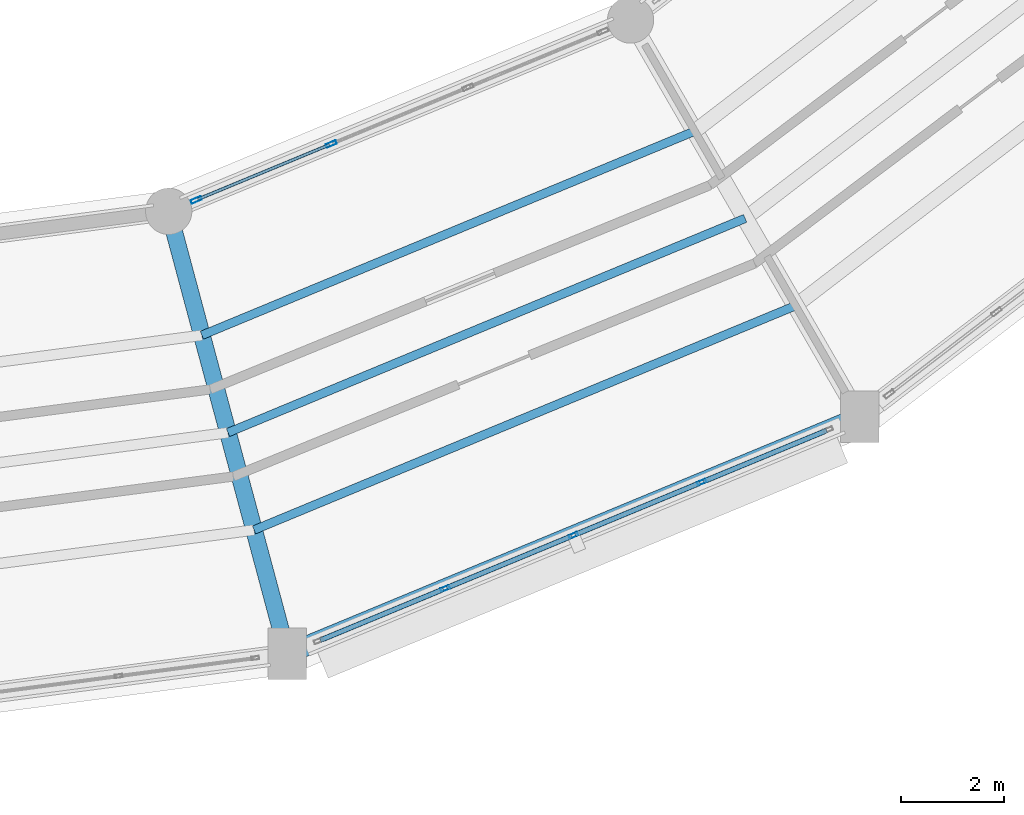
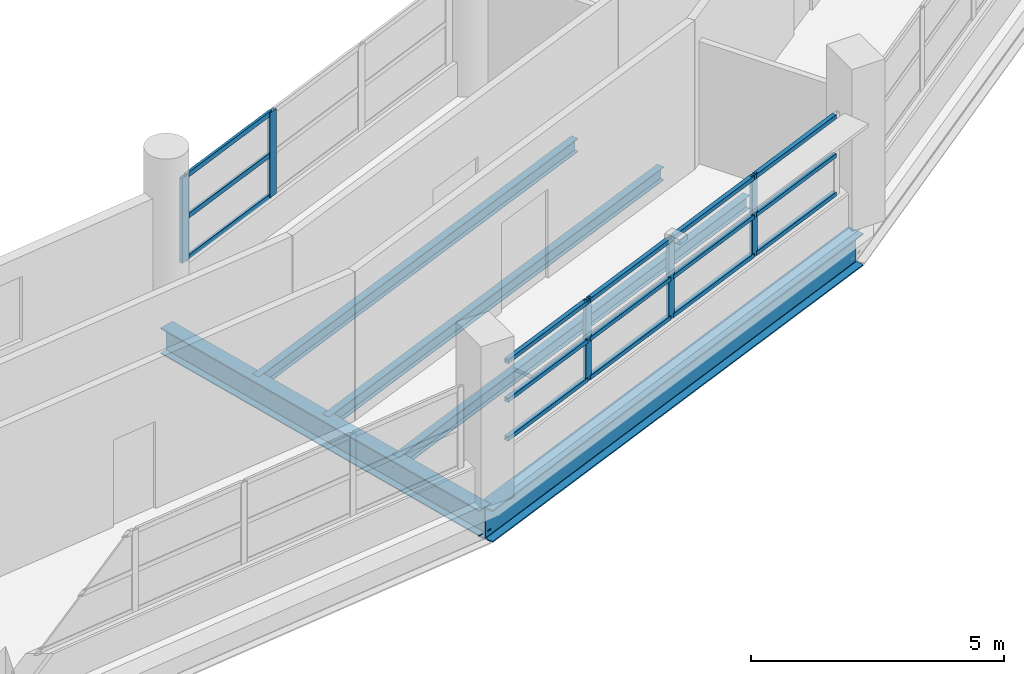
# One storey, part 41 of 108: 20 members, 5 beams, 2 elements without a shape of their own.
"""IFC4 building model written with IfcOpenShell, lengths in metres."""

from ifc_helpers import new_model, si_unit, direction, frame, origin, origin_2d, place, context, subcontext, project, spatial, hollow_rectangle, i_section, extrude, material, layer, layer_set, material_profile, profile_set, type_object, element, aggregate, save


model = new_model("IFC4")

# Units and contexts
model_context = context("Model", 3, precision=1e-05, world=origin(), true_north=direction((0.0, 1.0)))
body_context = subcontext(model_context, "Body", "Model", "MODEL_VIEW")
ifc_project = project(units=[si_unit("LENGTHUNIT", "METRE"), si_unit("AREAUNIT", "SQUARE_METRE"), si_unit("VOLUMEUNIT", "CUBIC_METRE"), si_unit("PLANEANGLEUNIT", "RADIAN"), si_unit("MASSUNIT", "GRAM", prefix="KILO")], contexts=[model_context])

# Site, building, storey
site_placement = place(None, origin())
site = spatial("IfcSite", under=ifc_project, at=site_placement, CompositionType="ELEMENT")
building_placement = place(site_placement, origin())
building = spatial("IfcBuilding", under=site, at=building_placement, Name="Vespera Passage Community Centre", CompositionType="ELEMENT")
storey_placement = place(building_placement, frame((0.0, 0.0, 12.60009765625)))
storey = spatial("IfcBuildingStorey", under=building, at=storey_placement, Name="L03", CompositionType="ELEMENT", Elevation=12.60009765625)

# Beams
ifc_material_1 = material(Name="Steel ASTM A992 Grade 50", Category="steel")
ifc_material_profile_1 = material_profile(ifc_material_1, i_section(OverallWidth=0.32763671875, OverallDepth=0.62841796875, WebThickness=0.0166015625, FlangeThickness=0.027587890625, FilletRadius=0.0126953125, at=origin_2d()), Name="W24X146")
ifc_profile_set_1 = profile_set([ifc_material_profile_1], Name="Steel ASTM A992 Grade 50")
beam_type_1 = type_object("IfcBeamType", Name="BM-G-W24X146", PredefinedType="BEAM", material=ifc_profile_set_1)
beam_1_placement = place(storey_placement, frame((87.628173828125, 29.567626953125, -0.71435546875), z_axis=(0.258811497245, -0.9659278487, 0.0), x_axis=(0.9659278487, 0.258811497245, 0.0)))
element("IfcBeam", 1, at=beam_1_placement, inside=storey, type_object=beam_type_1, Name="V4 L03 Radial Girder 19", PredefinedType="BEAM", context=body_context, shape_type="SweptSolid", body=[
    extrude(i_section(OverallWidth=0.32763671875, OverallDepth=0.62841796875, WebThickness=0.0166015625, FlangeThickness=0.027587890625, FilletRadius=0.0126953125, at=origin_2d()), origin(), (0.0, 0.0, 1.0), 8.900146484375),
])
ifc_material_2 = material(Name="Steel ASTM A992 Grade 50", Category="steel")
ifc_material_profile_2 = material_profile(ifc_material_2, i_section(OverallWidth=0.16650390625, OverallDepth=0.3173828125, WebThickness=0.007568359375, FlangeThickness=0.01318359375, FilletRadius=0.007568359375, at=origin_2d()), Name="W12X35")
ifc_profile_set_2 = profile_set([ifc_material_profile_2], Name="Steel ASTM A992 Grade 50")
beam_type_2 = type_object("IfcBeamType", Name="BM-J-W12X35", PredefinedType="JOIST", material=ifc_profile_set_2)
beam_2_placement = place(storey_placement, frame((88.273193359375, 27.160400390625, -0.558837890625), z_axis=(0.923873815861, 0.382697233288, 0.0), x_axis=(-0.382697233288, 0.923873815861, 0.0)))
element("IfcBeam", 2, at=beam_2_placement, inside=storey, type_object=beam_type_2, Name="V4 L03 Floor Joist 19.1", PredefinedType="JOIST", context=body_context, shape_type="SweptSolid", body=[
    extrude(i_section(OverallWidth=0.16650390625, OverallDepth=0.3173828125, WebThickness=0.007568359375, FlangeThickness=0.01318359375, FilletRadius=0.007568359375, at=origin_2d()), origin(), (0.0, 0.0, 1.0), 10.361572265625),
])
beam_3_placement = place(storey_placement, frame((88.77978515625, 25.269287109375, -0.558837890625), z_axis=(0.923878079901, 0.382686939258, 0.0), x_axis=(-0.382686939258, 0.923878079901, 0.0)))
element("IfcBeam", 3, at=beam_3_placement, inside=storey, type_object=beam_type_2, Name="V4 L03 Floor Joist 19.2", PredefinedType="JOIST", context=body_context, shape_type="SweptSolid", body=[
    extrude(i_section(OverallWidth=0.16650390625, OverallDepth=0.3173828125, WebThickness=0.007568359375, FlangeThickness=0.01318359375, FilletRadius=0.007568359375, at=origin_2d()), origin(), (0.0, 0.0, 1.0), 10.872802734375),
])
beam_4_placement = place(storey_placement, frame((89.28662109375, 23.3779296875, -0.558837890625), z_axis=(0.923878820173, 0.382685152097, 0.0), x_axis=(-0.382685152097, 0.923878820173, 0.0)))
element("IfcBeam", 4, at=beam_4_placement, inside=storey, type_object=beam_type_2, Name="V4 L03 Floor Joist 19.3", PredefinedType="JOIST", context=body_context, shape_type="SweptSolid", body=[
    extrude(i_section(OverallWidth=0.16650390625, OverallDepth=0.3173828125, WebThickness=0.007568359375, FlangeThickness=0.01318359375, FilletRadius=0.007568359375, at=origin_2d()), origin(), (0.0, 0.0, 1.0), 11.3837890625),
])
ifc_material_3 = material(Name="Steel ASTM A992 Grade 50", Category="steel")
ifc_material_profile_3 = material_profile(ifc_material_3, i_section(OverallWidth=0.382080078125, OverallDepth=0.779296875, WebThickness=0.01806640625, FlangeThickness=0.030029296875, FilletRadius=0.0166015625, at=origin_2d()), Name="W30X191")
ifc_profile_set_3 = profile_set([ifc_material_profile_3], Name="Steel ASTM A992 Grade 50")
beam_type_3 = type_object("IfcBeamType", Name="BM-SP-W30X191E", PredefinedType="SPANDREL", material=ifc_profile_set_3)
beam_5_placement = place(storey_placement, frame((89.931640625, 20.970703125, -0.789794921875), z_axis=(0.923877379647, 0.382688629799, 0.0), x_axis=(-0.382688629799, 0.923877379647, 0.0)))
element("IfcBeam", 5, at=beam_5_placement, inside=storey, type_object=beam_type_3, Name="V4 L03 Outer Spandrel 19", PredefinedType="SPANDREL", context=body_context, shape_type="SweptSolid", body=[
    extrude(i_section(OverallWidth=0.382080078125, OverallDepth=0.779296875, WebThickness=0.01806640625, FlangeThickness=0.030029296875, FilletRadius=0.0166015625, at=origin_2d()), origin(), (0.0, 0.0, 1.0), 12.034423828125),
])

# Curtain wall, members
ifc_material_4 = material(Name="Anodized aluminium 6063-T6", Category="aluminium")
ifc_layer_1 = layer(ifc_material_4, 0.159912109375)
ifc_layer_set_1 = layer_set([ifc_layer_1], Name="Anodized aluminium 6063-T6")
curtain_wall_type_1 = type_object("IfcCurtainWallType", Name="CW-39E", PredefinedType="NOTDEFINED", material=ifc_layer_set_1)
curtain_wall_1_placement = place(storey_placement, origin())
curtain_wall_1 = element("IfcCurtainWall", 6, at=curtain_wall_1_placement, inside=storey, type_object=curtain_wall_type_1, Name="V4 L03 Outer Ribbon Curtain Wall 19", PredefinedType="NOTDEFINED")
ifc_material_5 = material(Name="Anodized aluminium 6063-T6", Category="aluminium")
ifc_material_profile_4 = material_profile(ifc_material_5, hollow_rectangle(XDim=0.074951171875, YDim=0.179931640625, WallThickness=0.0048828125, InnerFilletRadius=0.00244140625, OuterFilletRadius=0.0048828125, at=origin_2d()), Name="ALU180X75X5")
ifc_profile_set_4 = profile_set([ifc_material_profile_4], Name="Anodized aluminium 6063-T6")
member_type_1 = type_object("IfcMemberType", Name="MB-CWM-180E", PredefinedType="MULLION", material=ifc_profile_set_4)
member_1_placement = place(storey_placement, frame((97.983642578125, 24.30615234375, 0.81982421875), z_axis=(0.0, 0.0, 1.0), x_axis=(0.382682936255, -0.923879738007, 0.0)))
member_1 = element("IfcMember", 7, at=member_1_placement, type_object=member_type_1, Name="CW-39E mullion 2", PredefinedType="MULLION", context=body_context, shape_type="SweptSolid", body=[
    extrude(hollow_rectangle(XDim=0.074951171875, YDim=0.179931640625, WallThickness=0.0048828125, InnerFilletRadius=0.00244140625, OuterFilletRadius=0.0048828125, at=origin_2d()), origin(), (0.0, 0.0, 1.0), 1.965576171875),
])
member_2_placement = place(storey_placement, frame((95.49072265625, 23.2734375, 0.81982421875), z_axis=(0.0, 0.0, 1.0), x_axis=(0.382682936255, -0.923879738007, 0.0)))
member_2 = element("IfcMember", 8, at=member_2_placement, type_object=member_type_1, Name="CW-39E mullion 3", PredefinedType="MULLION", context=body_context, shape_type="SweptSolid", body=[
    extrude(hollow_rectangle(XDim=0.074951171875, YDim=0.179931640625, WallThickness=0.0048828125, InnerFilletRadius=0.00244140625, OuterFilletRadius=0.0048828125, at=origin_2d()), origin(), (0.0, 0.0, 1.0), 1.965576171875),
])
member_3_placement = place(storey_placement, frame((92.998046875, 22.240966796875, 0.81982421875), z_axis=(0.0, 0.0, 1.0), x_axis=(0.382682936255, -0.923879738007, 0.0)))
member_3 = element("IfcMember", 9, at=member_3_placement, type_object=member_type_1, Name="CW-39E mullion 4", PredefinedType="MULLION", context=body_context, shape_type="SweptSolid", body=[
    extrude(hollow_rectangle(XDim=0.074951171875, YDim=0.179931640625, WallThickness=0.0048828125, InnerFilletRadius=0.00244140625, OuterFilletRadius=0.0048828125, at=origin_2d()), origin(), (0.0, 0.0, 1.0), 1.965576171875),
])

ifc_material_6 = material(Name="Anodized aluminium 6063-T6", Category="aluminium")
ifc_layer_2 = layer(ifc_material_6, 0.159912109375)
ifc_layer_set_2 = layer_set([ifc_layer_2], Name="Anodized aluminium 6063-T6")
curtain_wall_type_2 = type_object("IfcCurtainWallType", Name="CW-40E", PredefinedType="NOTDEFINED", material=ifc_layer_set_2)
curtain_wall_2_placement = place(storey_placement, origin())
curtain_wall_2 = element("IfcCurtainWall", 10, at=curtain_wall_2_placement, inside=storey, type_object=curtain_wall_type_2, Name="V4 L03 Inner Court Curtain Wall 19", PredefinedType="NOTDEFINED")
ifc_material_7 = material(Name="Anodized aluminium 6063-T6", Category="aluminium")
ifc_material_profile_5 = material_profile(ifc_material_7, hollow_rectangle(XDim=0.074951171875, YDim=0.2099609375, WallThickness=0.0048828125, InnerFilletRadius=0.00244140625, OuterFilletRadius=0.0048828125, at=origin_2d()), Name="ALU210X75X5")
ifc_profile_set_5 = profile_set([ifc_material_profile_5], Name="Anodized aluminium 6063-T6")
member_type_2 = type_object("IfcMemberType", Name="MB-CWM-210E", PredefinedType="MULLION", material=ifc_profile_set_5)
member_4_placement = place(storey_placement, frame((88.161376953125, 29.788330078125, 0.81982421875), z_axis=(0.0, 0.0, 1.0), x_axis=(-0.382690463482, 0.923876620096, 0.0)))
member_4 = element("IfcMember", 11, at=member_4_placement, type_object=member_type_2, Name="CW-40E mullion 1", PredefinedType="MULLION", context=body_context, shape_type="SweptSolid", body=[
    extrude(hollow_rectangle(XDim=0.074951171875, YDim=0.2099609375, WallThickness=0.0048828125, InnerFilletRadius=0.00244140625, OuterFilletRadius=0.0048828125, at=origin_2d()), origin(), (0.0, 0.0, 1.0), 2.049560546875),
])
member_5_placement = place(storey_placement, frame((90.784912109375, 30.875244140625, 0.81982421875), z_axis=(0.0, 0.0, 1.0), x_axis=(-0.382690463482, 0.923876620096, 0.0)))
member_5 = element("IfcMember", 12, at=member_5_placement, type_object=member_type_2, Name="CW-40E mullion 2", PredefinedType="MULLION", context=body_context, shape_type="SweptSolid", body=[
    extrude(hollow_rectangle(XDim=0.074951171875, YDim=0.2099609375, WallThickness=0.0048828125, InnerFilletRadius=0.00244140625, OuterFilletRadius=0.0048828125, at=origin_2d()), origin(), (0.0, 0.0, 1.0), 2.049560546875),
])

# Member
ifc_material_8 = material(Name="Anodized aluminium 6063-T6", Category="aluminium")
ifc_material_profile_6 = material_profile(ifc_material_8, hollow_rectangle(XDim=0.10009765625, YDim=0.10009765625, WallThickness=0.00390625, InnerFilletRadius=0.001953125, OuterFilletRadius=0.00390625, at=origin_2d()), Name="ALU100X100X4")
ifc_profile_set_6 = profile_set([ifc_material_profile_6], Name="Anodized aluminium 6063-T6")
member_type_3 = type_object("IfcMemberType", Name="MB-CWT-100E", PredefinedType="USERDEFINED", material=ifc_profile_set_6)
member_6_placement = place(storey_placement, frame((100.4072265625, 25.309814453125, 0.869873046875), z_axis=(-0.923882193286, -0.382677008624, 0.0), x_axis=(0.382677008624, -0.923882193286, 0.0)))
member_6 = element("IfcMember", 13, at=member_6_placement, type_object=member_type_3, Name="CW-39E transom 1.1", ObjectType="TRANSOM", PredefinedType="USERDEFINED", context=body_context, shape_type="SweptSolid", body=[
    extrude(hollow_rectangle(XDim=0.10009765625, YDim=0.10009765625, WallThickness=0.00390625, InnerFilletRadius=0.001953125, OuterFilletRadius=0.00390625, at=origin_2d()), origin(), (0.0, 0.0, 1.0), 2.585693359375),
])

member_7_placement = place(storey_placement, frame((100.4072265625, 25.309814453125, 1.802734375), z_axis=(-0.923882193286, -0.382677008624, 0.0), x_axis=(0.382677008624, -0.923882193286, 0.0)))
member_7 = element("IfcMember", 14, at=member_7_placement, type_object=member_type_3, Name="CW-39E transom 1.2", ObjectType="TRANSOM", PredefinedType="USERDEFINED", context=body_context, shape_type="SweptSolid", body=[
    extrude(hollow_rectangle(XDim=0.10009765625, YDim=0.10009765625, WallThickness=0.00390625, InnerFilletRadius=0.001953125, OuterFilletRadius=0.00390625, at=origin_2d()), origin(), (0.0, 0.0, 1.0), 2.585693359375),
])

member_8_placement = place(storey_placement, frame((100.4072265625, 25.309814453125, 2.735595703125), z_axis=(-0.923882193286, -0.382677008624, 0.0), x_axis=(0.382677008624, -0.923882193286, 0.0)))
member_8 = element("IfcMember", 15, at=member_8_placement, type_object=member_type_3, Name="CW-39E transom 1.3", ObjectType="TRANSOM", PredefinedType="USERDEFINED", context=body_context, shape_type="SweptSolid", body=[
    extrude(hollow_rectangle(XDim=0.10009765625, YDim=0.10009765625, WallThickness=0.00390625, InnerFilletRadius=0.001953125, OuterFilletRadius=0.00390625, at=origin_2d()), origin(), (0.0, 0.0, 1.0), 2.585693359375),
])

member_9_placement = place(storey_placement, frame((97.948974609375, 24.291748046875, 0.869873046875), z_axis=(-0.92387617736, -0.382691532316, 0.0), x_axis=(0.382691532316, -0.92387617736, 0.0)))
member_9 = element("IfcMember", 16, at=member_9_placement, type_object=member_type_3, Name="CW-39E transom 2.1", ObjectType="TRANSOM", PredefinedType="USERDEFINED", context=body_context, shape_type="SweptSolid", body=[
    extrude(hollow_rectangle(XDim=0.10009765625, YDim=0.10009765625, WallThickness=0.00390625, InnerFilletRadius=0.001953125, OuterFilletRadius=0.00390625, at=origin_2d()), origin(), (0.0, 0.0, 1.0), 2.623291015625),
])

member_10_placement = place(storey_placement, frame((97.948974609375, 24.291748046875, 1.802734375), z_axis=(-0.92387617736, -0.382691532316, 0.0), x_axis=(0.382691532316, -0.92387617736, 0.0)))
member_10 = element("IfcMember", 17, at=member_10_placement, type_object=member_type_3, Name="CW-39E transom 2.2", ObjectType="TRANSOM", PredefinedType="USERDEFINED", context=body_context, shape_type="SweptSolid", body=[
    extrude(hollow_rectangle(XDim=0.10009765625, YDim=0.10009765625, WallThickness=0.00390625, InnerFilletRadius=0.001953125, OuterFilletRadius=0.00390625, at=origin_2d()), origin(), (0.0, 0.0, 1.0), 2.623291015625),
])

member_11_placement = place(storey_placement, frame((97.948974609375, 24.291748046875, 2.735595703125), z_axis=(-0.92387617736, -0.382691532316, 0.0), x_axis=(0.382691532316, -0.92387617736, 0.0)))
member_11 = element("IfcMember", 18, at=member_11_placement, type_object=member_type_3, Name="CW-39E transom 2.3", ObjectType="TRANSOM", PredefinedType="USERDEFINED", context=body_context, shape_type="SweptSolid", body=[
    extrude(hollow_rectangle(XDim=0.10009765625, YDim=0.10009765625, WallThickness=0.00390625, InnerFilletRadius=0.001953125, OuterFilletRadius=0.00390625, at=origin_2d()), origin(), (0.0, 0.0, 1.0), 2.623291015625),
])

member_12_placement = place(storey_placement, frame((95.4560546875, 23.259033203125, 0.869873046875), z_axis=(-0.92389545334, -0.382644993822, 0.0), x_axis=(0.382644993822, -0.92389545334, 0.0)))
member_12 = element("IfcMember", 19, at=member_12_placement, type_object=member_type_3, Name="CW-39E transom 3.1", ObjectType="TRANSOM", PredefinedType="USERDEFINED", context=body_context, shape_type="SweptSolid", body=[
    extrude(hollow_rectangle(XDim=0.10009765625, YDim=0.10009765625, WallThickness=0.00390625, InnerFilletRadius=0.001953125, OuterFilletRadius=0.00390625, at=origin_2d()), origin(), (0.0, 0.0, 1.0), 2.623046875),
])

member_13_placement = place(storey_placement, frame((95.4560546875, 23.259033203125, 1.802734375), z_axis=(-0.92389545334, -0.382644993822, 0.0), x_axis=(0.382644993822, -0.92389545334, 0.0)))
member_13 = element("IfcMember", 20, at=member_13_placement, type_object=member_type_3, Name="CW-39E transom 3.2", ObjectType="TRANSOM", PredefinedType="USERDEFINED", context=body_context, shape_type="SweptSolid", body=[
    extrude(hollow_rectangle(XDim=0.10009765625, YDim=0.10009765625, WallThickness=0.00390625, InnerFilletRadius=0.001953125, OuterFilletRadius=0.00390625, at=origin_2d()), origin(), (0.0, 0.0, 1.0), 2.623046875),
])

member_14_placement = place(storey_placement, frame((95.4560546875, 23.259033203125, 2.735595703125), z_axis=(-0.92389545334, -0.382644993822, 0.0), x_axis=(0.382644993822, -0.92389545334, 0.0)))
member_14 = element("IfcMember", 21, at=member_14_placement, type_object=member_type_3, Name="CW-39E transom 3.3", ObjectType="TRANSOM", PredefinedType="USERDEFINED", context=body_context, shape_type="SweptSolid", body=[
    extrude(hollow_rectangle(XDim=0.10009765625, YDim=0.10009765625, WallThickness=0.00390625, InnerFilletRadius=0.001953125, OuterFilletRadius=0.00390625, at=origin_2d()), origin(), (0.0, 0.0, 1.0), 2.623046875),
])

member_15_placement = place(storey_placement, frame((92.96337890625, 22.2265625, 0.869873046875), z_axis=(-0.923882193286, -0.382677008624, 0.0), x_axis=(0.382677008624, -0.923882193286, 0.0)))
member_15 = element("IfcMember", 22, at=member_15_placement, type_object=member_type_3, Name="CW-39E transom 4.1", ObjectType="TRANSOM", PredefinedType="USERDEFINED", context=body_context, shape_type="SweptSolid", body=[
    extrude(hollow_rectangle(XDim=0.10009765625, YDim=0.10009765625, WallThickness=0.00390625, InnerFilletRadius=0.001953125, OuterFilletRadius=0.00390625, at=origin_2d()), origin(), (0.0, 0.0, 1.0), 2.585693359375),
])

member_16_placement = place(storey_placement, frame((92.96337890625, 22.2265625, 1.802734375), z_axis=(-0.923882193286, -0.382677008624, 0.0), x_axis=(0.382677008624, -0.923882193286, 0.0)))
member_16 = element("IfcMember", 23, at=member_16_placement, type_object=member_type_3, Name="CW-39E transom 4.2", ObjectType="TRANSOM", PredefinedType="USERDEFINED", context=body_context, shape_type="SweptSolid", body=[
    extrude(hollow_rectangle(XDim=0.10009765625, YDim=0.10009765625, WallThickness=0.00390625, InnerFilletRadius=0.001953125, OuterFilletRadius=0.00390625, at=origin_2d()), origin(), (0.0, 0.0, 1.0), 2.585693359375),
])

member_17_placement = place(storey_placement, frame((92.96337890625, 22.2265625, 2.735595703125), z_axis=(-0.923882193286, -0.382677008624, 0.0), x_axis=(0.382677008624, -0.923882193286, 0.0)))
member_17 = element("IfcMember", 24, at=member_17_placement, type_object=member_type_3, Name="CW-39E transom 4.3", ObjectType="TRANSOM", PredefinedType="USERDEFINED", context=body_context, shape_type="SweptSolid", body=[
    extrude(hollow_rectangle(XDim=0.10009765625, YDim=0.10009765625, WallThickness=0.00390625, InnerFilletRadius=0.001953125, OuterFilletRadius=0.00390625, at=origin_2d()), origin(), (0.0, 0.0, 1.0), 2.585693359375),
])

aggregate(curtain_wall_1, [member_1, member_2, member_3, member_6, member_7, member_8, member_9, member_10, member_11, member_12, member_13, member_14, member_15, member_16, member_17])

ifc_material_9 = material(Name="Anodized aluminium 6063-T6", Category="aluminium")
ifc_material_profile_7 = material_profile(ifc_material_9, hollow_rectangle(XDim=0.06005859375, YDim=0.1201171875, WallThickness=0.00390625, InnerFilletRadius=0.001953125, OuterFilletRadius=0.00390625, at=origin_2d()), Name="ALU120X60X4")
ifc_profile_set_7 = profile_set([ifc_material_profile_7], Name="Anodized aluminium 6063-T6")
member_type_4 = type_object("IfcMemberType", Name="MB-CWT-120E", PredefinedType="USERDEFINED", material=ifc_profile_set_7)
member_18_placement = place(storey_placement, frame((88.196044921875, 29.802734375, 0.849853515625), z_axis=(0.923863992677, 0.382720946689, 0.0), x_axis=(-0.382720946689, 0.923863992677, 0.0)))
member_18 = element("IfcMember", 25, at=member_18_placement, type_object=member_type_4, Name="CW-40E transom 1.1", ObjectType="TRANSOM", PredefinedType="USERDEFINED", context=body_context, shape_type="SweptSolid", body=[
    extrude(hollow_rectangle(XDim=0.06005859375, YDim=0.1201171875, WallThickness=0.00390625, InnerFilletRadius=0.001953125, OuterFilletRadius=0.00390625, at=origin_2d()), origin(), (0.0, 0.0, 1.0), 2.7646484375),
])

member_19_placement = place(storey_placement, frame((88.196044921875, 29.802734375, 1.844482421875), z_axis=(0.923863992677, 0.382720946689, 0.0), x_axis=(-0.382720946689, 0.923863992677, 0.0)))
member_19 = element("IfcMember", 26, at=member_19_placement, type_object=member_type_4, Name="CW-40E transom 1.2", ObjectType="TRANSOM", PredefinedType="USERDEFINED", context=body_context, shape_type="SweptSolid", body=[
    extrude(hollow_rectangle(XDim=0.06005859375, YDim=0.1201171875, WallThickness=0.00390625, InnerFilletRadius=0.001953125, OuterFilletRadius=0.00390625, at=origin_2d()), origin(), (0.0, 0.0, 1.0), 2.7646484375),
])

member_20_placement = place(storey_placement, frame((88.196044921875, 29.802734375, 2.83935546875), z_axis=(0.923863992677, 0.382720946689, 0.0), x_axis=(-0.382720946689, 0.923863992677, 0.0)))
member_20 = element("IfcMember", 27, at=member_20_placement, type_object=member_type_4, Name="CW-40E transom 1.3", ObjectType="TRANSOM", PredefinedType="USERDEFINED", context=body_context, shape_type="SweptSolid", body=[
    extrude(hollow_rectangle(XDim=0.06005859375, YDim=0.1201171875, WallThickness=0.00390625, InnerFilletRadius=0.001953125, OuterFilletRadius=0.00390625, at=origin_2d()), origin(), (0.0, 0.0, 1.0), 2.7646484375),
])

aggregate(curtain_wall_2, [member_4, member_5, member_18, member_19, member_20])

save(model, "model.ifc")
